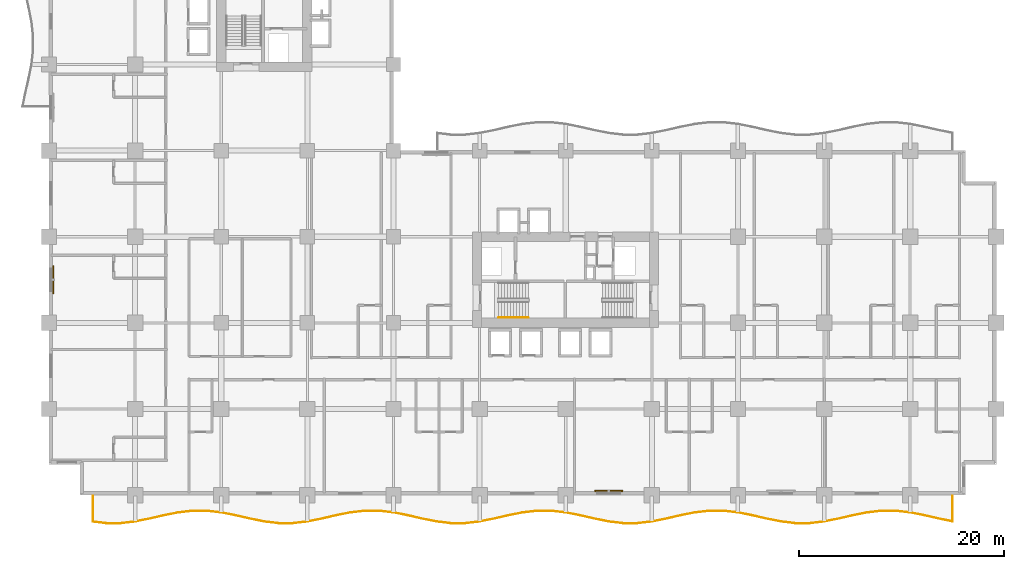
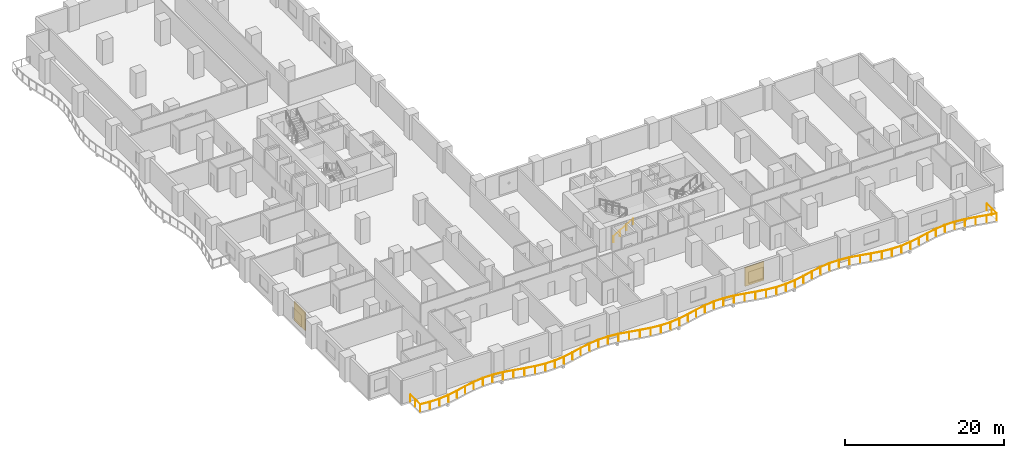
# One storey, part 19 of 22: 2 railings, 2 shading devices.
"""IFC4 building model written with IfcOpenShell, lengths in metres."""

from ifc_helpers import new_model, si_unit, direction, frame, origin, origin_2d, place, context, subcontext, project, spatial, rectangle, circle, extrude, material, layer, layer_set, type_object, element, save


model = new_model("IFC4")

# Units and contexts
model_context = context("Model", 3, precision=1e-05, world=origin(), true_north=direction((0.0, 1.0)))
body_context = subcontext(model_context, "Body", "Model", "MODEL_VIEW")
ifc_project = project(units=[si_unit("LENGTHUNIT", "METRE"), si_unit("AREAUNIT", "SQUARE_METRE"), si_unit("VOLUMEUNIT", "CUBIC_METRE"), si_unit("PLANEANGLEUNIT", "RADIAN"), si_unit("MASSUNIT", "GRAM", prefix="KILO")], contexts=[model_context])

# Site, building, storey
site_placement = place(None, origin())
site = spatial("IfcSite", under=ifc_project, at=site_placement, CompositionType="ELEMENT")
building_placement = place(site_placement, origin())
building = spatial("IfcBuilding", under=site, at=building_placement, Name="Koriwani Terraces Tower", CompositionType="ELEMENT")
storey_placement = place(building_placement, frame((0.0, 0.0, 51.0)))
storey = spatial("IfcBuildingStorey", under=building, at=storey_placement, Name="L11", CompositionType="ELEMENT", Elevation=51.0)

# Railings
ifc_material_1 = material(Name="Steel ASTM A572 Grade 50", Category="steel")
railing_type_1 = type_object("IfcRailingType", Name="GUARD_BALUSTRADE_1150", PredefinedType="BALUSTRADE", material=ifc_material_1)
railing_1_placement = place(storey_placement, frame((4.280029296875, -0.080078125, 0.0)))
element("IfcRailing", 1, at=railing_1_placement, inside=storey, type_object=railing_type_1, Name="L11 Balcony Perimeter Safety Balustrade (S)", PredefinedType="BALUSTRADE", context=body_context, shape_type="SweptSolid", body=[
    extrude(circle(Radius=0.02392578125, at=origin_2d()), frame((0.0, 0.0, 1.1259765625), z_axis=(0.0, -1.0, 0.0), x_axis=(1.0, 0.0, 0.0)), (0.0, 0.0, 1.0), 2.515625),
    extrude(circle(Radius=0.02392578125, at=origin_2d()), frame((0.0, -2.515625, 1.1259765625), z_axis=(0.993387265385, -0.114811763207, 0.0), x_axis=(0.114811763207, 0.993387265385, 0.0)), (0.0, 0.0, 1.0), 1.333251953125),
    extrude(circle(Radius=0.02392578125, at=origin_2d()), frame((1.324462890625, -2.668701171875, 1.1259765625), z_axis=(1.0, 0.0, 0.0), x_axis=(0.0, 1.0, 0.0)), (0.0, 0.0, 1.0), 1.390869140625),
    extrude(circle(Radius=0.02392578125, at=origin_2d()), frame((2.71533203125, -2.668701171875, 1.1259765625), z_axis=(0.993387554732, 0.114809259658, 0.0), x_axis=(-0.114809259658, 0.993387554732, 0.0)), (0.0, 0.0, 1.0), 1.4013671875),
    extrude(circle(Radius=0.02392578125, at=origin_2d()), frame((4.107421875, -2.5078125, 1.1259765625), z_axis=(0.980560880312, 0.196215086073, 0.0), x_axis=(-0.196215086073, 0.980560880312, 0.0)), (0.0, 0.0, 1.0), 1.42333984375),
    extrude(circle(Radius=0.02392578125, at=origin_2d()), frame((5.503173828125, -2.228515625, 1.1259765625), z_axis=(0.974325285753, 0.225144925641, 0.0), x_axis=(-0.225144925641, 0.974325285753, 0.0)), (0.0, 0.0, 1.0), 1.436767578125),
    extrude(circle(Radius=0.02392578125, at=origin_2d()), frame((6.903076171875, -1.905029296875, 1.1259765625), z_axis=(0.980567562379, 0.196181690301, 0.0), x_axis=(-0.196181690301, 0.980567562379, 0.0)), (0.0, 0.0, 1.0), 1.432373046875),
    extrude(circle(Radius=0.02392578125, at=origin_2d()), frame((8.3076171875, -1.6240234375, 1.1259765625), z_axis=(0.993395347306, 0.114741814309, 0.0), x_axis=(-0.114741814309, 0.993395347306, 0.0)), (0.0, 0.0, 1.0), 1.4169921875),
    extrude(circle(Radius=0.02392578125, at=origin_2d()), frame((9.71533203125, -1.46142578125, 1.1259765625), z_axis=(1.0, 0.0, 0.0), x_axis=(0.0, 1.0, 0.0)), (0.0, 0.0, 1.0), 1.4091796875),
    extrude(circle(Radius=0.02392578125, at=origin_2d()), frame((11.12451171875, -1.46142578125, 1.1259765625), z_axis=(0.993397614974, -0.114722179915, 0.0), x_axis=(0.114722179915, 0.993397614974, 0.0)), (0.0, 0.0, 1.0), 1.417236328125),
    extrude(circle(Radius=0.02392578125, at=origin_2d()), frame((12.532470703125, -1.6240234375, 1.1259765625), z_axis=(0.980561000791, -0.19621448399, 0.0), x_axis=(0.19621448399, 0.980561000791, 0.0)), (0.0, 0.0, 1.0), 1.43212890625),
    extrude(circle(Radius=0.02392578125, at=origin_2d()), frame((13.936767578125, -1.905029296875, 1.1259765625), z_axis=(0.974333896935, -0.225107657095, 0.0), x_axis=(0.225107657095, 0.974333896935, 0.0)), (0.0, 0.0, 1.0), 1.43701171875),
    extrude(circle(Radius=0.02392578125, at=origin_2d()), frame((15.3369140625, -2.228515625, 1.1259765625), z_axis=(0.980554275191, -0.196248091466, 0.0), x_axis=(0.196248091466, 0.980554275191, 0.0)), (0.0, 0.0, 1.0), 1.423095703125),
    extrude(circle(Radius=0.02392578125, at=origin_2d()), frame((16.732421875, -2.5078125, 1.1259765625), z_axis=(0.993387554732, -0.114809259658, 0.0), x_axis=(0.114809259658, 0.993387554732, 0.0)), (0.0, 0.0, 1.0), 1.4013671875),
    extrude(circle(Radius=0.02392578125, at=origin_2d()), frame((18.12451171875, -2.668701171875, 1.1259765625), z_axis=(1.0, 0.0, 0.0), x_axis=(0.0, 1.0, 0.0)), (0.0, 0.0, 1.0), 1.390869140625),
    extrude(circle(Radius=0.02392578125, at=origin_2d()), frame((19.515380859375, -2.668701171875, 1.1259765625), z_axis=(0.993387554732, 0.114809259658, 0.0), x_axis=(-0.114809259658, 0.993387554732, 0.0)), (0.0, 0.0, 1.0), 1.4013671875),
    extrude(circle(Radius=0.02392578125, at=origin_2d()), frame((20.907470703125, -2.5078125, 1.1259765625), z_axis=(0.980554275191, 0.196248091466, 0.0), x_axis=(-0.196248091466, 0.980554275191, 0.0)), (0.0, 0.0, 1.0), 1.423095703125),
    extrude(circle(Radius=0.02392578125, at=origin_2d()), frame((22.302978515625, -2.228515625, 1.1259765625), z_axis=(0.974333896935, 0.225107657095, 0.0), x_axis=(-0.225107657095, 0.974333896935, 0.0)), (0.0, 0.0, 1.0), 1.43701171875),
    extrude(circle(Radius=0.02392578125, at=origin_2d()), frame((23.703125, -1.905029296875, 1.1259765625), z_axis=(0.980567562379, 0.196181690301, 0.0), x_axis=(-0.196181690301, 0.980567562379, 0.0)), (0.0, 0.0, 1.0), 1.432373046875),
    extrude(circle(Radius=0.02392578125, at=origin_2d()), frame((25.107666015625, -1.6240234375, 1.1259765625), z_axis=(0.993395347306, 0.114741814309, 0.0), x_axis=(-0.114741814309, 0.993395347306, 0.0)), (0.0, 0.0, 1.0), 1.4169921875),
    extrude(circle(Radius=0.02392578125, at=origin_2d()), frame((26.515380859375, -1.46142578125, 1.1259765625), z_axis=(1.0, 0.0, 0.0), x_axis=(0.0, 1.0, 0.0)), (0.0, 0.0, 1.0), 1.4091796875),
    extrude(circle(Radius=0.02392578125, at=origin_2d()), frame((27.924560546875, -1.46142578125, 1.1259765625), z_axis=(0.993395347306, -0.114741814309, 0.0), x_axis=(0.114741814309, 0.993395347306, 0.0)), (0.0, 0.0, 1.0), 1.4169921875),
    extrude(circle(Radius=0.02392578125, at=origin_2d()), frame((29.332275390625, -1.6240234375, 1.1259765625), z_axis=(0.980567562379, -0.196181690301, 0.0), x_axis=(0.196181690301, 0.980567562379, 0.0)), (0.0, 0.0, 1.0), 1.432373046875),
    extrude(circle(Radius=0.02392578125, at=origin_2d()), frame((30.73681640625, -1.905029296875, 1.1259765625), z_axis=(0.974333896935, -0.225107657095, 0.0), x_axis=(0.225107657095, 0.974333896935, 0.0)), (0.0, 0.0, 1.0), 1.43701171875),
    extrude(circle(Radius=0.02392578125, at=origin_2d()), frame((32.136962890625, -2.228515625, 1.1259765625), z_axis=(0.980554275191, -0.196248091466, 0.0), x_axis=(0.196248091466, 0.980554275191, 0.0)), (0.0, 0.0, 1.0), 1.423095703125),
    extrude(circle(Radius=0.02392578125, at=origin_2d()), frame((33.532470703125, -2.5078125, 1.1259765625), z_axis=(0.993387554732, -0.114809259658, 0.0), x_axis=(0.114809259658, 0.993387554732, 0.0)), (0.0, 0.0, 1.0), 1.4013671875),
    extrude(circle(Radius=0.02392578125, at=origin_2d()), frame((34.924560546875, -2.668701171875, 1.1259765625), z_axis=(1.0, 0.0, 0.0), x_axis=(0.0, 1.0, 0.0)), (0.0, 0.0, 1.0), 1.390869140625),
    extrude(circle(Radius=0.02392578125, at=origin_2d()), frame((36.3154296875, -2.668701171875, 1.1259765625), z_axis=(0.993387554732, 0.114809259658, 0.0), x_axis=(-0.114809259658, 0.993387554732, 0.0)), (0.0, 0.0, 1.0), 1.4013671875),
    extrude(circle(Radius=0.02392578125, at=origin_2d()), frame((37.70751953125, -2.5078125, 1.1259765625), z_axis=(0.980554275191, 0.196248091466, 0.0), x_axis=(-0.196248091466, 0.980554275191, 0.0)), (0.0, 0.0, 1.0), 1.423095703125),
    extrude(circle(Radius=0.02392578125, at=origin_2d()), frame((39.10302734375, -2.228515625, 1.1259765625), z_axis=(0.974333896935, 0.225107657095, 0.0), x_axis=(-0.225107657095, 0.974333896935, 0.0)), (0.0, 0.0, 1.0), 1.43701171875),
    extrude(circle(Radius=0.02392578125, at=origin_2d()), frame((40.503173828125, -1.905029296875, 1.1259765625), z_axis=(0.980561000791, 0.19621448399, 0.0), x_axis=(-0.19621448399, 0.980561000791, 0.0)), (0.0, 0.0, 1.0), 1.43212890625),
    extrude(circle(Radius=0.02392578125, at=origin_2d()), frame((41.907470703125, -1.6240234375, 1.1259765625), z_axis=(0.993397614974, 0.114722179915, 0.0), x_axis=(-0.114722179915, 0.993397614974, 0.0)), (0.0, 0.0, 1.0), 1.417236328125),
    extrude(circle(Radius=0.02392578125, at=origin_2d()), frame((43.3154296875, -1.46142578125, 1.1259765625), z_axis=(1.0, 0.0, 0.0), x_axis=(0.0, 1.0, 0.0)), (0.0, 0.0, 1.0), 1.4091796875),
    extrude(circle(Radius=0.02392578125, at=origin_2d()), frame((44.724609375, -1.46142578125, 1.1259765625), z_axis=(0.993395347306, -0.114741814309, 0.0), x_axis=(0.114741814309, 0.993395347306, 0.0)), (0.0, 0.0, 1.0), 1.4169921875),
    extrude(circle(Radius=0.02392578125, at=origin_2d()), frame((46.13232421875, -1.6240234375, 1.1259765625), z_axis=(0.980567562379, -0.196181690301, 0.0), x_axis=(0.196181690301, 0.980567562379, 0.0)), (0.0, 0.0, 1.0), 1.432373046875),
    extrude(circle(Radius=0.02392578125, at=origin_2d()), frame((47.536865234375, -1.905029296875, 1.1259765625), z_axis=(0.974325285753, -0.225144925641, 0.0), x_axis=(0.225144925641, 0.974325285753, 0.0)), (0.0, 0.0, 1.0), 1.436767578125),
    extrude(circle(Radius=0.02392578125, at=origin_2d()), frame((48.936767578125, -2.228515625, 1.1259765625), z_axis=(0.980560880312, -0.196215086073, 0.0), x_axis=(0.196215086073, 0.980560880312, 0.0)), (0.0, 0.0, 1.0), 1.42333984375),
    extrude(circle(Radius=0.02392578125, at=origin_2d()), frame((50.33251953125, -2.5078125, 1.1259765625), z_axis=(0.993387554732, -0.114809259658, 0.0), x_axis=(0.114809259658, 0.993387554732, 0.0)), (0.0, 0.0, 1.0), 1.4013671875),
    extrude(circle(Radius=0.02392578125, at=origin_2d()), frame((51.724609375, -2.668701171875, 1.1259765625), z_axis=(1.0, 0.0, 0.0), x_axis=(0.0, 1.0, 0.0)), (0.0, 0.0, 1.0), 1.390869140625),
    extrude(circle(Radius=0.02392578125, at=origin_2d()), frame((53.115478515625, -2.668701171875, 1.1259765625), z_axis=(0.993387554732, 0.114809259658, 0.0), x_axis=(-0.114809259658, 0.993387554732, 0.0)), (0.0, 0.0, 1.0), 1.4013671875),
    extrude(circle(Radius=0.02392578125, at=origin_2d()), frame((54.507568359375, -2.5078125, 1.1259765625), z_axis=(0.980554275191, 0.196248091466, 0.0), x_axis=(-0.196248091466, 0.980554275191, 0.0)), (0.0, 0.0, 1.0), 1.423095703125),
    extrude(circle(Radius=0.02392578125, at=origin_2d()), frame((55.903076171875, -2.228515625, 1.1259765625), z_axis=(0.974325285753, 0.225144925641, 0.0), x_axis=(-0.225144925641, 0.974325285753, 0.0)), (0.0, 0.0, 1.0), 1.436767578125),
    extrude(circle(Radius=0.02392578125, at=origin_2d()), frame((57.302978515625, -1.905029296875, 1.1259765625), z_axis=(0.980567562379, 0.196181690301, 0.0), x_axis=(-0.196181690301, 0.980567562379, 0.0)), (0.0, 0.0, 1.0), 1.432373046875),
    extrude(circle(Radius=0.02392578125, at=origin_2d()), frame((58.70751953125, -1.6240234375, 1.1259765625), z_axis=(0.993397614974, 0.114722179915, 0.0), x_axis=(-0.114722179915, 0.993397614974, 0.0)), (0.0, 0.0, 1.0), 1.417236328125),
    extrude(circle(Radius=0.02392578125, at=origin_2d()), frame((60.115478515625, -1.46142578125, 1.1259765625), z_axis=(1.0, 0.0, 0.0), x_axis=(0.0, 1.0, 0.0)), (0.0, 0.0, 1.0), 1.4091796875),
    extrude(circle(Radius=0.02392578125, at=origin_2d()), frame((61.524658203125, -1.46142578125, 1.1259765625), z_axis=(0.993395347306, -0.114741814309, 0.0), x_axis=(0.114741814309, 0.993395347306, 0.0)), (0.0, 0.0, 1.0), 1.4169921875),
    extrude(circle(Radius=0.02392578125, at=origin_2d()), frame((62.932373046875, -1.6240234375, 1.1259765625), z_axis=(0.980567562379, -0.196181690301, 0.0), x_axis=(0.196181690301, 0.980567562379, 0.0)), (0.0, 0.0, 1.0), 1.432373046875),
    extrude(circle(Radius=0.02392578125, at=origin_2d()), frame((64.3369140625, -1.905029296875, 1.1259765625), z_axis=(0.974325285753, -0.225144925641, 0.0), x_axis=(0.225144925641, 0.974325285753, 0.0)), (0.0, 0.0, 1.0), 1.436767578125),
    extrude(circle(Radius=0.02392578125, at=origin_2d()), frame((65.73681640625, -2.228515625, 1.1259765625), z_axis=(0.980560880312, -0.196215086073, 0.0), x_axis=(0.196215086073, 0.980560880312, 0.0)), (0.0, 0.0, 1.0), 1.42333984375),
    extrude(circle(Radius=0.02392578125, at=origin_2d()), frame((67.132568359375, -2.5078125, 1.1259765625), z_axis=(0.993387554732, -0.114809259658, 0.0), x_axis=(0.114809259658, 0.993387554732, 0.0)), (0.0, 0.0, 1.0), 1.4013671875),
    extrude(circle(Radius=0.02392578125, at=origin_2d()), frame((68.524658203125, -2.668701171875, 1.1259765625), z_axis=(1.0, 0.0, 0.0), x_axis=(0.0, 1.0, 0.0)), (0.0, 0.0, 1.0), 1.390625),
    extrude(circle(Radius=0.02392578125, at=origin_2d()), frame((69.915283203125, -2.668701171875, 1.1259765625), z_axis=(0.993387554732, 0.114809259658, 0.0), x_axis=(-0.114809259658, 0.993387554732, 0.0)), (0.0, 0.0, 1.0), 1.4013671875),
    extrude(circle(Radius=0.02392578125, at=origin_2d()), frame((71.307373046875, -2.5078125, 1.1259765625), z_axis=(0.980560880312, 0.196215086073, 0.0), x_axis=(-0.196215086073, 0.980560880312, 0.0)), (0.0, 0.0, 1.0), 1.42333984375),
    extrude(circle(Radius=0.02392578125, at=origin_2d()), frame((72.703125, -2.228515625, 1.1259765625), z_axis=(0.974325285753, 0.225144925641, 0.0), x_axis=(-0.225144925641, 0.974325285753, 0.0)), (0.0, 0.0, 1.0), 1.436767578125),
    extrude(circle(Radius=0.02392578125, at=origin_2d()), frame((74.10302734375, -1.905029296875, 1.1259765625), z_axis=(0.980567562379, 0.196181690301, 0.0), x_axis=(-0.196181690301, 0.980567562379, 0.0)), (0.0, 0.0, 1.0), 1.432373046875),
    extrude(circle(Radius=0.02392578125, at=origin_2d()), frame((75.507568359375, -1.6240234375, 1.1259765625), z_axis=(0.993395347306, 0.114741814309, 0.0), x_axis=(-0.114741814309, 0.993395347306, 0.0)), (0.0, 0.0, 1.0), 1.4169921875),
    extrude(circle(Radius=0.02392578125, at=origin_2d()), frame((76.915283203125, -1.46142578125, 1.1259765625), z_axis=(1.0, 0.0, 0.0), x_axis=(0.0, 1.0, 0.0)), (0.0, 0.0, 1.0), 1.4091796875),
    extrude(circle(Radius=0.02392578125, at=origin_2d()), frame((78.324462890625, -1.46142578125, 1.1259765625), z_axis=(0.993397614974, -0.114722179915, 0.0), x_axis=(0.114722179915, 0.993397614974, 0.0)), (0.0, 0.0, 1.0), 1.417236328125),
    extrude(circle(Radius=0.02392578125, at=origin_2d()), frame((79.732421875, -1.6240234375, 1.1259765625), z_axis=(0.980567562379, -0.196181690301, 0.0), x_axis=(0.196181690301, 0.980567562379, 0.0)), (0.0, 0.0, 1.0), 1.432373046875),
    extrude(circle(Radius=0.02392578125, at=origin_2d()), frame((81.136962890625, -1.905029296875, 1.1259765625), z_axis=(0.974325285753, -0.225144925641, 0.0), x_axis=(0.225144925641, 0.974325285753, 0.0)), (0.0, 0.0, 1.0), 1.436767578125),
    extrude(circle(Radius=0.02392578125, at=origin_2d()), frame((82.536865234375, -2.228515625, 1.1259765625), z_axis=(0.980566542723, -0.196186786742, 0.0), x_axis=(0.196186786742, 0.980566542723, 0.0)), (0.0, 0.0, 1.0), 1.3291015625),
    extrude(circle(Radius=0.02392578125, at=origin_2d()), frame((83.840087890625, -2.4892578125, 1.1259765625), z_axis=(0.0, 1.0, 0.0), x_axis=(-1.0, 0.0, 0.0)), (0.0, 0.0, 1.0), 2.4892578125),
    extrude(circle(Radius=0.02099609375, at=origin_2d()), origin(), (0.0, 0.0, 1.0), 1.101806640625),
    extrude(circle(Radius=0.02099609375, at=origin_2d()), frame((0.0, -1.2578125, 0.0)), (0.0, 0.0, 1.0), 1.101806640625),
    extrude(circle(Radius=0.02099609375, at=origin_2d()), frame((0.0, -2.515625, 0.0)), (0.0, 0.0, 1.0), 1.101806640625),
    extrude(circle(Radius=0.02099609375, at=origin_2d()), frame((1.324462890625, -2.668701171875, 0.0)), (0.0, 0.0, 1.0), 1.101806640625),
    extrude(circle(Radius=0.02099609375, at=origin_2d()), frame((2.71533203125, -2.668701171875, 0.0)), (0.0, 0.0, 1.0), 1.101806640625),
    extrude(circle(Radius=0.02099609375, at=origin_2d()), frame((4.107421875, -2.5078125, 0.0)), (0.0, 0.0, 1.0), 1.101806640625),
    extrude(circle(Radius=0.02099609375, at=origin_2d()), frame((5.503173828125, -2.228515625, 0.0)), (0.0, 0.0, 1.0), 1.101806640625),
    extrude(circle(Radius=0.02099609375, at=origin_2d()), frame((6.903076171875, -1.905029296875, 0.0)), (0.0, 0.0, 1.0), 1.101806640625),
    extrude(circle(Radius=0.02099609375, at=origin_2d()), frame((8.3076171875, -1.6240234375, 0.0)), (0.0, 0.0, 1.0), 1.101806640625),
    extrude(circle(Radius=0.02099609375, at=origin_2d()), frame((9.71533203125, -1.46142578125, 0.0)), (0.0, 0.0, 1.0), 1.101806640625),
    extrude(circle(Radius=0.02099609375, at=origin_2d()), frame((11.12451171875, -1.46142578125, 0.0)), (0.0, 0.0, 1.0), 1.101806640625),
    extrude(circle(Radius=0.02099609375, at=origin_2d()), frame((12.532470703125, -1.6240234375, 0.0)), (0.0, 0.0, 1.0), 1.101806640625),
    extrude(circle(Radius=0.02099609375, at=origin_2d()), frame((13.936767578125, -1.905029296875, 0.0)), (0.0, 0.0, 1.0), 1.101806640625),
    extrude(circle(Radius=0.02099609375, at=origin_2d()), frame((15.3369140625, -2.228515625, 0.0)), (0.0, 0.0, 1.0), 1.101806640625),
    extrude(circle(Radius=0.02099609375, at=origin_2d()), frame((16.732421875, -2.5078125, 0.0)), (0.0, 0.0, 1.0), 1.101806640625),
    extrude(circle(Radius=0.02099609375, at=origin_2d()), frame((18.12451171875, -2.668701171875, 0.0)), (0.0, 0.0, 1.0), 1.101806640625),
    extrude(circle(Radius=0.02099609375, at=origin_2d()), frame((19.515380859375, -2.668701171875, 0.0)), (0.0, 0.0, 1.0), 1.101806640625),
    extrude(circle(Radius=0.02099609375, at=origin_2d()), frame((20.907470703125, -2.5078125, 0.0)), (0.0, 0.0, 1.0), 1.101806640625),
    extrude(circle(Radius=0.02099609375, at=origin_2d()), frame((22.302978515625, -2.228515625, 0.0)), (0.0, 0.0, 1.0), 1.101806640625),
    extrude(circle(Radius=0.02099609375, at=origin_2d()), frame((23.703125, -1.905029296875, 0.0)), (0.0, 0.0, 1.0), 1.101806640625),
    extrude(circle(Radius=0.02099609375, at=origin_2d()), frame((25.107666015625, -1.6240234375, 0.0)), (0.0, 0.0, 1.0), 1.101806640625),
    extrude(circle(Radius=0.02099609375, at=origin_2d()), frame((26.515380859375, -1.46142578125, 0.0)), (0.0, 0.0, 1.0), 1.101806640625),
    extrude(circle(Radius=0.02099609375, at=origin_2d()), frame((27.924560546875, -1.46142578125, 0.0)), (0.0, 0.0, 1.0), 1.101806640625),
    extrude(circle(Radius=0.02099609375, at=origin_2d()), frame((29.332275390625, -1.6240234375, 0.0)), (0.0, 0.0, 1.0), 1.101806640625),
    extrude(circle(Radius=0.02099609375, at=origin_2d()), frame((30.73681640625, -1.905029296875, 0.0)), (0.0, 0.0, 1.0), 1.101806640625),
    extrude(circle(Radius=0.02099609375, at=origin_2d()), frame((32.136962890625, -2.228515625, 0.0)), (0.0, 0.0, 1.0), 1.101806640625),
    extrude(circle(Radius=0.02099609375, at=origin_2d()), frame((33.532470703125, -2.5078125, 0.0)), (0.0, 0.0, 1.0), 1.101806640625),
    extrude(circle(Radius=0.02099609375, at=origin_2d()), frame((34.924560546875, -2.668701171875, 0.0)), (0.0, 0.0, 1.0), 1.101806640625),
    extrude(circle(Radius=0.02099609375, at=origin_2d()), frame((36.3154296875, -2.668701171875, 0.0)), (0.0, 0.0, 1.0), 1.101806640625),
    extrude(circle(Radius=0.02099609375, at=origin_2d()), frame((37.70751953125, -2.5078125, 0.0)), (0.0, 0.0, 1.0), 1.101806640625),
    extrude(circle(Radius=0.02099609375, at=origin_2d()), frame((39.10302734375, -2.228515625, 0.0)), (0.0, 0.0, 1.0), 1.101806640625),
    extrude(circle(Radius=0.02099609375, at=origin_2d()), frame((40.503173828125, -1.905029296875, 0.0)), (0.0, 0.0, 1.0), 1.101806640625),
    extrude(circle(Radius=0.02099609375, at=origin_2d()), frame((41.907470703125, -1.6240234375, 0.0)), (0.0, 0.0, 1.0), 1.101806640625),
    extrude(circle(Radius=0.02099609375, at=origin_2d()), frame((43.3154296875, -1.46142578125, 0.0)), (0.0, 0.0, 1.0), 1.101806640625),
    extrude(circle(Radius=0.02099609375, at=origin_2d()), frame((44.724609375, -1.46142578125, 0.0)), (0.0, 0.0, 1.0), 1.101806640625),
    extrude(circle(Radius=0.02099609375, at=origin_2d()), frame((46.13232421875, -1.6240234375, 0.0)), (0.0, 0.0, 1.0), 1.101806640625),
    extrude(circle(Radius=0.02099609375, at=origin_2d()), frame((47.536865234375, -1.905029296875, 0.0)), (0.0, 0.0, 1.0), 1.101806640625),
    extrude(circle(Radius=0.02099609375, at=origin_2d()), frame((48.936767578125, -2.228515625, 0.0)), (0.0, 0.0, 1.0), 1.101806640625),
    extrude(circle(Radius=0.02099609375, at=origin_2d()), frame((50.33251953125, -2.5078125, 0.0)), (0.0, 0.0, 1.0), 1.101806640625),
    extrude(circle(Radius=0.02099609375, at=origin_2d()), frame((51.724609375, -2.668701171875, 0.0)), (0.0, 0.0, 1.0), 1.101806640625),
    extrude(circle(Radius=0.02099609375, at=origin_2d()), frame((53.115478515625, -2.668701171875, 0.0)), (0.0, 0.0, 1.0), 1.101806640625),
    extrude(circle(Radius=0.02099609375, at=origin_2d()), frame((54.507568359375, -2.5078125, 0.0)), (0.0, 0.0, 1.0), 1.101806640625),
    extrude(circle(Radius=0.02099609375, at=origin_2d()), frame((55.903076171875, -2.228515625, 0.0)), (0.0, 0.0, 1.0), 1.101806640625),
    extrude(circle(Radius=0.02099609375, at=origin_2d()), frame((57.302978515625, -1.905029296875, 0.0)), (0.0, 0.0, 1.0), 1.101806640625),
    extrude(circle(Radius=0.02099609375, at=origin_2d()), frame((58.70751953125, -1.6240234375, 0.0)), (0.0, 0.0, 1.0), 1.101806640625),
    extrude(circle(Radius=0.02099609375, at=origin_2d()), frame((60.115478515625, -1.46142578125, 0.0)), (0.0, 0.0, 1.0), 1.101806640625),
    extrude(circle(Radius=0.02099609375, at=origin_2d()), frame((61.524658203125, -1.46142578125, 0.0)), (0.0, 0.0, 1.0), 1.101806640625),
    extrude(circle(Radius=0.02099609375, at=origin_2d()), frame((62.932373046875, -1.6240234375, 0.0)), (0.0, 0.0, 1.0), 1.101806640625),
    extrude(circle(Radius=0.02099609375, at=origin_2d()), frame((64.3369140625, -1.905029296875, 0.0)), (0.0, 0.0, 1.0), 1.101806640625),
    extrude(circle(Radius=0.02099609375, at=origin_2d()), frame((65.73681640625, -2.228515625, 0.0)), (0.0, 0.0, 1.0), 1.101806640625),
    extrude(circle(Radius=0.02099609375, at=origin_2d()), frame((67.132568359375, -2.5078125, 0.0)), (0.0, 0.0, 1.0), 1.101806640625),
    extrude(circle(Radius=0.02099609375, at=origin_2d()), frame((68.524658203125, -2.668701171875, 0.0)), (0.0, 0.0, 1.0), 1.101806640625),
    extrude(circle(Radius=0.02099609375, at=origin_2d()), frame((69.915283203125, -2.668701171875, 0.0)), (0.0, 0.0, 1.0), 1.101806640625),
    extrude(circle(Radius=0.02099609375, at=origin_2d()), frame((71.307373046875, -2.5078125, 0.0)), (0.0, 0.0, 1.0), 1.101806640625),
    extrude(circle(Radius=0.02099609375, at=origin_2d()), frame((72.703125, -2.228515625, 0.0)), (0.0, 0.0, 1.0), 1.101806640625),
    extrude(circle(Radius=0.02099609375, at=origin_2d()), frame((74.10302734375, -1.905029296875, 0.0)), (0.0, 0.0, 1.0), 1.101806640625),
    extrude(circle(Radius=0.02099609375, at=origin_2d()), frame((75.507568359375, -1.6240234375, 0.0)), (0.0, 0.0, 1.0), 1.101806640625),
    extrude(circle(Radius=0.02099609375, at=origin_2d()), frame((76.915283203125, -1.46142578125, 0.0)), (0.0, 0.0, 1.0), 1.101806640625),
    extrude(circle(Radius=0.02099609375, at=origin_2d()), frame((78.324462890625, -1.46142578125, 0.0)), (0.0, 0.0, 1.0), 1.101806640625),
    extrude(circle(Radius=0.02099609375, at=origin_2d()), frame((79.732421875, -1.6240234375, 0.0)), (0.0, 0.0, 1.0), 1.101806640625),
    extrude(circle(Radius=0.02099609375, at=origin_2d()), frame((81.136962890625, -1.905029296875, 0.0)), (0.0, 0.0, 1.0), 1.101806640625),
    extrude(circle(Radius=0.02099609375, at=origin_2d()), frame((82.536865234375, -2.228515625, 0.0)), (0.0, 0.0, 1.0), 1.101806640625),
    extrude(circle(Radius=0.02099609375, at=origin_2d()), frame((83.840087890625, -2.4892578125, 0.0)), (0.0, 0.0, 1.0), 1.101806640625),
    extrude(circle(Radius=0.02099609375, at=origin_2d()), frame((83.840087890625, -1.24462890625, 0.0)), (0.0, 0.0, 1.0), 1.101806640625),
    extrude(circle(Radius=0.02099609375, at=origin_2d()), frame((83.840087890625, 0.0, 0.0)), (0.0, 0.0, 1.0), 1.101806640625),
])
railing_type_2 = type_object("IfcRailingType", Name="HANDRAIL_STAIR_920", PredefinedType="HANDRAIL", material=ifc_material_1)
railing_2_placement = place(storey_placement, frame((43.85009765625, 17.300048828125, 0.172607421875)))
element("IfcRailing", 2, at=railing_2_placement, inside=storey, type_object=railing_type_2, Name="L11 ST-E1 stair handrail 1", PredefinedType="HANDRAIL", context=body_context, shape_type="SweptSolid", body=[
    extrude(circle(Radius=0.02392578125, at=origin_2d()), frame((0.0, 0.0, 0.8759765625), z_axis=(0.859141464434, 0.0, 0.511738159696), x_axis=(0.0, 1.0, 0.0)), (0.0, 0.0, 1.0), 3.375244140625),
    extrude(circle(Radius=0.02099609375, at=origin_2d()), origin(), (0.0, 0.0, 1.0), 0.851806640625),
    extrude(circle(Radius=0.02099609375, at=origin_2d()), frame((0.966552734375, 0.0, 0.57568359375)), (0.0, 0.0, 1.0), 0.851806640625),
    extrude(circle(Radius=0.02099609375, at=origin_2d()), frame((1.933349609375, 0.0, 1.151611328125)), (0.0, 0.0, 1.0), 0.851806640625),
    extrude(circle(Radius=0.02099609375, at=origin_2d()), frame((2.89990234375, 0.0, 1.727294921875)), (0.0, 0.0, 1.0), 0.851806640625),
])

# Shading devices
ifc_material_2 = material(Name="Extruded Terracotta Clay", Category="masonry")
ifc_layer = layer(ifc_material_2, 0.1201171875, Name="Extruded Terracotta Clay")
ifc_layer_set = layer_set([ifc_layer], Name="Extruded Terracotta Clay")
shading_device_type = type_object("IfcShadingDeviceType", Name="TERRACOTTA_BAGUETTE_SCREEN_2800", PredefinedType="USERDEFINED", material=ifc_layer_set)
for number, where, z_axis, x_axis, name in (
    (3, (0.405029296875, 21.0, 0.324951171875), (0.0, 0.0, 1.0), (0.0, 1.0, 0.0), "L11 Extruded Terracotta Baguette Screen (W-6)"),
    (4, (54.60009765625, 0.405029296875, 0.324951171875), (0.0, 0.0, 1.0), (-1.0, 0.0, 0.0), "L11 Extruded Terracotta Baguette Screen (S-18)"),
):
    element("IfcShadingDevice", number, at=place(storey_placement, frame(where, z_axis=z_axis, x_axis=x_axis)), inside=storey, type_object=shading_device_type, Name=name, ObjectType="BAGUETTE", PredefinedType="USERDEFINED", context=body_context, shape_type="SweptSolid", body=[
        extrude(rectangle(XDim=2.760009765625, YDim=0.1201171875, at=origin_2d()), origin(), (0.0, 0.0, 1.0), 2.89990234375),
    ])

save(model, "model.ifc")
